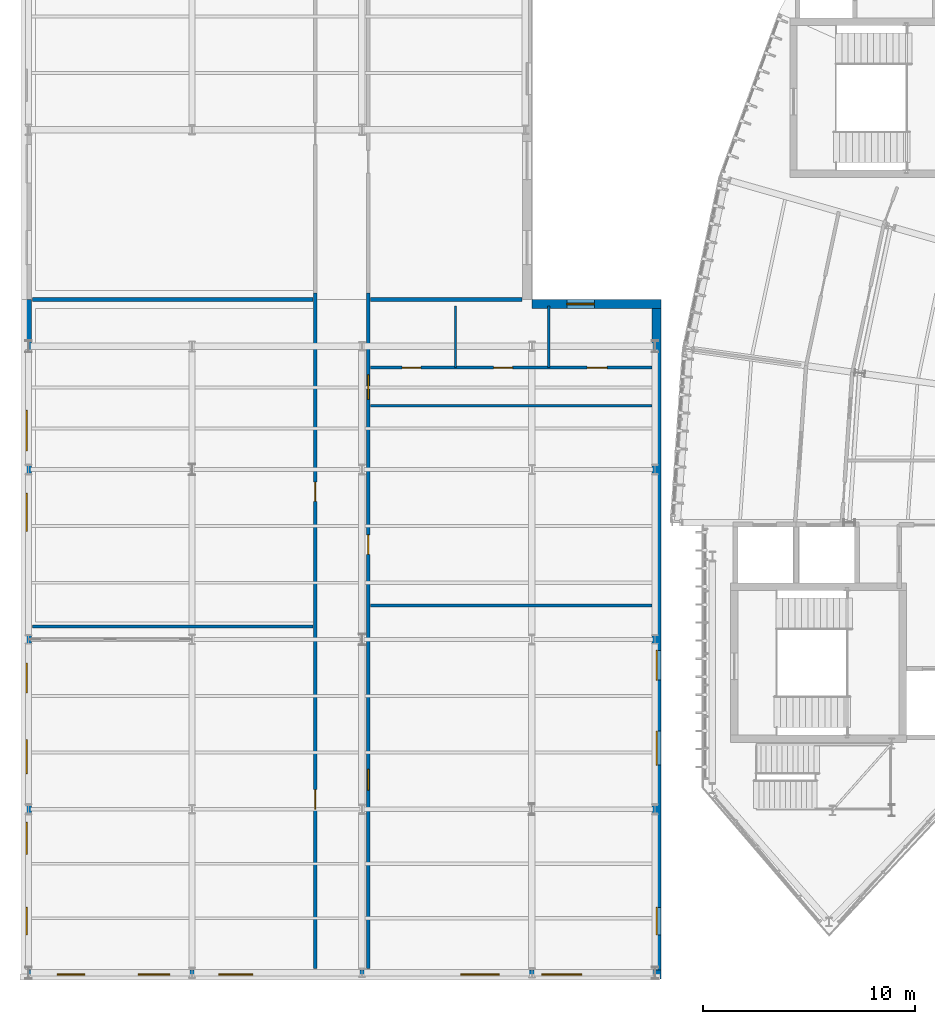
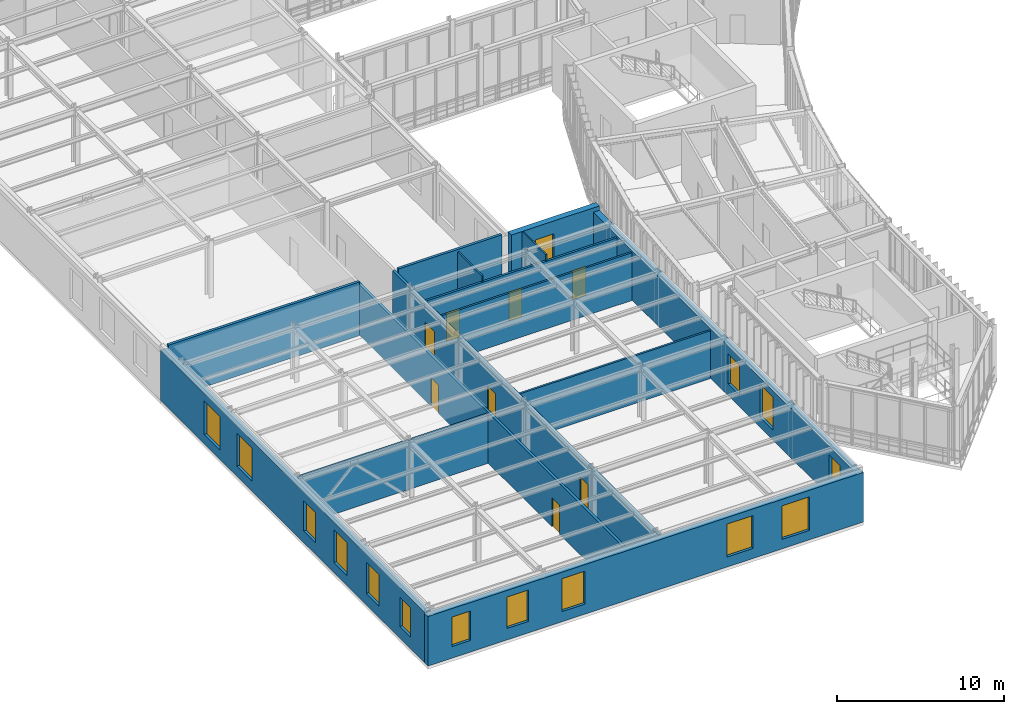
# One storey, part 40 of 57: 15 windows, 14 walls, 8 doors, 23 openings.
"""IFC4 building model written with IfcOpenShell, lengths in metres."""

import ifcopenshell
import ifcopenshell.guid

model = None  # the IFC model being written
_history = None  # IfcOwnerHistory: only IFC2X3 demands one
_inside = {}  # id of a spatial element -> (the spatial element, [elements in it])
_under = {}  # id of a project, library or spatial element -> (it, [spatial elements below it])
_declared = {}  # id of a project -> (the project, [libraries it declares])
_typed = {}  # id of a type object -> (the type object, [elements of that type])
_made_of = {}  # id of a material, layer set ... -> (it, [elements and type objects made of it])


def new_model(schema):
    """Start an empty IFC model of exactly this schema.

    Asked for "IFC4X3", IfcOpenShell would pick the latest addendum, in which some entities
    have other attributes; the version numbers below select the first issue.
    IFC2X3 requires an IfcOwnerHistory on every rooted entity: one is made here for all.
    """
    global model, _history
    if schema == "IFC4X3":
        model = ifcopenshell.file(schema_version=(4, 3, 0, 0))
    else:
        model = ifcopenshell.file(schema=schema)
    _inside.clear()
    _under.clear()
    _declared.clear()
    _typed.clear()
    _made_of.clear()
    _history = None
    if model.schema == "IFC2X3":
        org = make("IfcOrganization", Name="unknown")
        user = make(
            "IfcPersonAndOrganization",
            ThePerson=make("IfcPerson", FamilyName="unknown"),
            TheOrganization=org,
        )
        app = make(
            "IfcApplication",
            ApplicationDeveloper=org,
            Version="unknown",
            ApplicationFullName="unknown",
            ApplicationIdentifier="unknown",
        )
        _history = make(
            "IfcOwnerHistory",
            OwningUser=user,
            OwningApplication=app,
            ChangeAction="ADDED",
            CreationDate=0,
        )
    return model


def make(cls, **values):
    """One entity of the class cls with the attributes given. An attribute that is None is left unset."""
    return model.create_entity(
        cls, **{name: value for name, value in values.items() if value is not None}
    )


def rooted(cls, **values):
    """An entity with a GlobalId (a new one), such as an element, a storey or a relation."""
    return make(cls, GlobalId=ifcopenshell.guid.new(), OwnerHistory=_history, **values)


def si_unit(unit_type, name, prefix=None):
    """IfcSIUnit, for example si_unit("LENGTHUNIT", "METRE", prefix="MILLI")."""
    return make("IfcSIUnit", UnitType=unit_type, Prefix=prefix, Name=name)


def assignment(units):
    """IfcUnitAssignment: the units of a project."""
    return None if units is None else make("IfcUnitAssignment", Units=units)


def point(xyz):
    """IfcCartesianPoint."""
    return None if xyz is None else make("IfcCartesianPoint", Coordinates=xyz)


def direction(xyz):
    """IfcDirection."""
    return None if xyz is None else make("IfcDirection", DirectionRatios=xyz)


def frame(location, z_axis=None, x_axis=None):
    """IfcAxis2Placement3D, a coordinate frame: its origin and axes. An axis left out is left unset."""
    return make(
        "IfcAxis2Placement3D",
        Location=point(location),
        Axis=direction(z_axis),
        RefDirection=direction(x_axis),
    )


def frame_2d(location, x_axis=None):
    """IfcAxis2Placement2D, a coordinate frame in the plane: its origin and x axis."""
    return make(
        "IfcAxis2Placement2D", Location=point(location), RefDirection=direction(x_axis)
    )


def origin():
    """The frame at (0, 0, 0) with its axes left unset."""
    return frame((0.0, 0.0, 0.0))


def place(relative_to, where):
    """IfcLocalPlacement: puts the frame where relative to a parent placement (None: the world)."""
    return make(
        "IfcLocalPlacement", PlacementRelTo=relative_to, RelativePlacement=where
    )


def context(
    kind, dimensions, precision=None, world=None, true_north=None, identifier=None
):
    """IfcGeometricRepresentationContext, for example the 3D "Model" context."""
    return make(
        "IfcGeometricRepresentationContext",
        ContextIdentifier=identifier,
        ContextType=kind,
        CoordinateSpaceDimension=dimensions,
        Precision=precision,
        WorldCoordinateSystem=world,
        TrueNorth=true_north,
    )


def subcontext(parent, identifier, kind, view, scale=None):
    """IfcGeometricRepresentationSubContext, for example "Body" below "Model"."""
    return make(
        "IfcGeometricRepresentationSubContext",
        ContextIdentifier=identifier,
        ContextType=kind,
        ParentContext=parent,
        TargetScale=scale,
        TargetView=view,
    )


def project(units=None, contexts=None):
    """IfcProject with its units and contexts."""
    return rooted(
        "IfcProject",
        Name="project",
        RepresentationContexts=contexts,
        UnitsInContext=assignment(units),
    )


def spatial(cls, under=None, at=None, **own):
    """A site, building, storey or space (cls), placed at a placement, below another one or the project."""
    s = rooted(cls, ObjectPlacement=at, **own)
    if under is not None:
        _under.setdefault(under.id(), (under, []))[1].append(s)
    return s


def profile(cls, at=None, kind="AREA", **sizes):
    """A parametric profile (cls). Its sizes go by their IFC names, for example OverallWidth=200.0."""
    return make(cls, ProfileType=kind, Position=at, **sizes)


def rectangle(**sizes):
    """IfcRectangleProfileDef."""
    return profile("IfcRectangleProfileDef", **sizes)


def extrude(swept, where, along, depth):
    """IfcExtrudedAreaSolid: the profile swept, set in the frame where, extruded along a direction by depth."""
    return make(
        "IfcExtrudedAreaSolid",
        SweptArea=swept,
        Position=where,
        ExtrudedDirection=direction(along),
        Depth=depth,
    )


def shape(context_of_items, identifier, shape_type, items):
    """IfcShapeRepresentation: the items that make up one representation, for example the "Body"."""
    return make(
        "IfcShapeRepresentation",
        ContextOfItems=context_of_items,
        RepresentationIdentifier=identifier,
        RepresentationType=shape_type,
        Items=items,
    )


def material(Name=None, Category=None):
    """IfcMaterial."""
    return make("IfcMaterial", Name=Name, Category=Category)


def layer(
    of_material, thickness, ventilated=None, Name=None, Category=None, Priority=None
):
    """IfcMaterialLayer: one layer of a wall or slab, of a material (None: an air gap)."""
    return make(
        "IfcMaterialLayer",
        Material=of_material,
        LayerThickness=thickness,
        IsVentilated=ventilated,
        Name=Name,
        Category=Category,
        Priority=Priority,
    )


def layer_set(layers, Name=None):
    """IfcMaterialLayerSet."""
    return make("IfcMaterialLayerSet", MaterialLayers=layers, LayerSetName=Name)


def made_of(thing, what):
    """Note that an element or type object is made of a material, layer set ...; save() writes the relation."""
    if what is not None:
        _made_of.setdefault(what.id(), (what, []))[1].append(thing)
    return thing


def type_object(cls, material=None, **own):
    """A type object (cls), such as IfcWallType, which elements share."""
    return made_of(rooted(cls, **own), material)


def element(
    cls,
    number,
    at=None,
    inside=None,
    cuts=None,
    type_object=None,
    material=None,
    context=None,
    identifier="Body",
    shape_type=None,
    held_by="IfcProductDefinitionShape",
    body=None,
    shapes=None,
    **own,
):
    """One element of the class cls, such as IfcWall. Its Tag is "e" and its number.

    at: its placement. inside: the storey or other place that contains it. cuts: it is an
    opening in that element (IfcRelVoidsElement). A single representation is given by context,
    identifier, shape_type and body (its items); several are given by shapes. held_by: the class
    of the entity that holds the representations. save() writes the other relations.
    """
    e = rooted(cls, Tag="e%d" % number, ObjectPlacement=at, **own)
    if body is not None:
        shapes = [shape(context, identifier, shape_type, body)]
    if shapes is not None:
        e.Representation = make(held_by, Representations=shapes)
    if inside is not None:
        _inside.setdefault(inside.id(), (inside, []))[1].append(e)
    if cuts is not None:
        rooted(
            "IfcRelVoidsElement", RelatingBuildingElement=cuts, RelatedOpeningElement=e
        )
    if type_object is not None:
        _typed.setdefault(type_object.id(), (type_object, []))[1].append(e)
    return made_of(e, material)


def fill(opening, filler):
    """IfcRelFillsElement: the door or window that sits in an opening."""
    return rooted(
        "IfcRelFillsElement",
        RelatingOpeningElement=opening,
        RelatedBuildingElement=filler,
    )


def aggregate(whole, parts):
    """IfcRelAggregates: a whole, such as a stair, and the parts it consists of."""
    return rooted("IfcRelAggregates", RelatingObject=whole, RelatedObjects=parts)


def save(model, path):
    """Write the relations noted so far, then the file.

    IfcRelAggregates (storeys below a building ...), IfcRelContainedInSpatialStructure (elements
    in a storey), IfcRelDefinesByType, IfcRelAssociatesMaterial and IfcRelDeclares: one each for
    every whole, place, type object, material and project.
    """
    for whole, parts in _under.values():
        aggregate(whole, parts)
    for where, things in _inside.values():
        rooted(
            "IfcRelContainedInSpatialStructure",
            RelatedElements=things,
            RelatingStructure=where,
        )
    for kind, things in _typed.values():
        rooted("IfcRelDefinesByType", RelatedObjects=things, RelatingType=kind)
    for what, things in _made_of.values():
        rooted("IfcRelAssociatesMaterial", RelatedObjects=things, RelatingMaterial=what)
    for by, libraries in _declared.values():
        rooted("IfcRelDeclares", RelatingContext=by, RelatedDefinitions=libraries)
    model.write(path)


model = new_model("IFC4")

# Units and contexts
model_context = context("Model", 3, precision=1e-05, world=origin(), true_north=direction((0.0, 1.0)))
body_context = subcontext(model_context, "Body", "Model", "MODEL_VIEW")
ifc_project = project(units=[si_unit("LENGTHUNIT", "METRE"), si_unit("AREAUNIT", "SQUARE_METRE"), si_unit("VOLUMEUNIT", "CUBIC_METRE"), si_unit("PLANEANGLEUNIT", "RADIAN"), si_unit("MASSUNIT", "GRAM", prefix="KILO"), si_unit("THERMODYNAMICTEMPERATUREUNIT", "KELVIN"), si_unit("POWERUNIT", "WATT")], contexts=[model_context])

# Site, building, storey
site_placement = place(None, origin())
site = spatial("IfcSite", under=ifc_project, at=site_placement, CompositionType="ELEMENT")
building_placement = place(site_placement, origin())
building = spatial("IfcBuilding", under=site, at=building_placement, Name="Solvatero Civic Police Headquarters", CompositionType="ELEMENT")
storey_placement = place(building_placement, frame((0.0, 0.0, 9.300048828125)))
storey = spatial("IfcBuildingStorey", under=building, at=storey_placement, Name="L02", CompositionType="ELEMENT", Elevation=9.300048828125)

# Wall, openings, windows
ifc_material_1 = material(Name="Cream Limestone Ashlar", Category="masonry")
ifc_layer_1 = layer(ifc_material_1, 0.419921875)
ifc_layer_set_1 = layer_set([ifc_layer_1], Name="Cream Limestone Ashlar")
wall_type_1 = type_object("IfcWallType", Name="WL-EXT-LIME-420", PredefinedType="SOLIDWALL", material=ifc_layer_set_1)
wall_1_placement = place(storey_placement, frame((4.510009765625, 4.719970703125, 0.0), z_axis=(0.0, 0.0, 1.0), x_axis=(1.0, 0.0, 0.0)))
wall_1 = element("IfcWall", 1, at=wall_1_placement, inside=storey, type_object=wall_type_1, Name="Exterior Wall WLE-L02-V4-S", PredefinedType="SOLIDWALL", context=body_context, shape_type="SweptSolid", body=[
    extrude(rectangle(XDim=30.080078125, YDim=0.419921875, at=frame_2d((15.0400390625, 0.0))), origin(), (0.0, 0.0, 1.0), 3.619873046875),
])
opening_1_placement = place(wall_1_placement, frame((1.64990234375, 0.0, 0.85009765625)))
opening_1 = element("IfcOpeningElement", 2, at=opening_1_placement, cuts=wall_1, Name="Opening W-13", PredefinedType="OPENING", context=body_context, shape_type="SweptSolid", body=[
    extrude(rectangle(XDim=1.300048828125, YDim=2.14990234375, at=frame_2d((0.64990234375, 1.074951171875))), frame((0.0, 0.219970703125, 0.0), z_axis=(0.0, -1.0, 0.0), x_axis=(1.0, 0.0, 0.0)), (0.0, 0.0, 1.0), 0.43994140625),
])
opening_2_placement = place(wall_1_placement, frame((5.449951171875, 0.0, 0.840087890625)))
opening_2 = element("IfcOpeningElement", 3, at=opening_2_placement, cuts=wall_1, Name="Opening W-03", PredefinedType="OPENING", context=body_context, shape_type="SweptSolid", body=[
    extrude(rectangle(XDim=1.5, YDim=2.300048828125, at=frame_2d((0.75, 1.14990234375))), frame((0.0, 0.219970703125, 0.0), z_axis=(0.0, -1.0, 0.0), x_axis=(1.0, 0.0, 0.0)), (0.0, 0.0, 1.0), 0.43994140625),
])
opening_3_placement = place(wall_1_placement, frame((9.25, 0.0, 0.739990234375)))
opening_3 = element("IfcOpeningElement", 4, at=opening_3_placement, cuts=wall_1, Name="Opening W-04", PredefinedType="OPENING", context=body_context, shape_type="SweptSolid", body=[
    extrude(rectangle(XDim=1.60009765625, YDim=2.39990234375, at=frame_2d((0.800048828125, 1.199951171875))), frame((0.0, 0.219970703125, 0.0), z_axis=(0.0, -1.0, 0.0), x_axis=(1.0, 0.0, 0.0)), (0.0, 0.0, 1.0), 0.43994140625),
])
opening_4_placement = place(wall_1_placement, frame((20.64990234375, 0.0, 0.739990234375)))
opening_4 = element("IfcOpeningElement", 5, at=opening_4_placement, cuts=wall_1, Name="Opening W-05", PredefinedType="OPENING", context=body_context, shape_type="SweptSolid", body=[
    extrude(rectangle(XDim=1.800048828125, YDim=2.39990234375, at=frame_2d((0.89990234375, 1.199951171875))), frame((0.0, 0.219970703125, 0.0), z_axis=(0.0, -1.0, 0.0), x_axis=(1.0, 0.0, 0.0)), (0.0, 0.0, 1.0), 0.43994140625),
])
opening_5_placement = place(wall_1_placement, frame((24.449951171875, 0.0, 0.68994140625)))
opening_5 = element("IfcOpeningElement", 6, at=opening_5_placement, cuts=wall_1, Name="Opening W-15", PredefinedType="OPENING", context=body_context, shape_type="SweptSolid", body=[
    extrude(rectangle(XDim=1.89990234375, YDim=2.449951171875, at=frame_2d((0.949951171875, 1.22509765625))), frame((0.0, 0.219970703125, 0.0), z_axis=(0.0, -1.0, 0.0), x_axis=(1.0, 0.0, 0.0)), (0.0, 0.0, 1.0), 0.43994140625),
])
ifc_material_2 = material(Name="Anodized Bronze Aluminium", Category="aluminium")
window_type_1 = type_object("IfcWindowType", Name="WN-CL-130x215", PartitioningType="SINGLE_PANEL", PredefinedType="WINDOW", material=ifc_material_2)
window_1_placement = place(opening_1_placement, origin())
window_1 = element("IfcWindow", 7, at=window_1_placement, inside=storey, type_object=window_type_1, Name="Exterior Window 0025", OverallHeight=2.14990234375, OverallWidth=1.300048828125, PartitioningType="SINGLE_PANEL", PredefinedType="WINDOW", context=body_context, shape_type="SweptSolid", body=[
    extrude(rectangle(XDim=1.300048828125, YDim=2.14990234375, at=frame_2d((0.64990234375, 1.074951171875))), frame((0.0, 0.030029296875, 0.0), z_axis=(0.0, -1.0, 0.0), x_axis=(1.0, 0.0, 0.0)), (0.0, 0.0, 1.0), 0.06005859375),
])
fill(opening_1, window_1)
window_type_2 = type_object("IfcWindowType", Name="WN-CL-150x230", PartitioningType="SINGLE_PANEL", PredefinedType="WINDOW", material=ifc_material_2)
window_2_placement = place(opening_2_placement, origin())
window_2 = element("IfcWindow", 8, at=window_2_placement, inside=storey, type_object=window_type_2, Name="Exterior Window 0026", OverallHeight=2.300048828125, OverallWidth=1.5, PartitioningType="SINGLE_PANEL", PredefinedType="WINDOW", context=body_context, shape_type="SweptSolid", body=[
    extrude(rectangle(XDim=1.5, YDim=2.300048828125, at=frame_2d((0.75, 1.14990234375))), frame((0.0, 0.030029296875, 0.0), z_axis=(0.0, -1.0, 0.0), x_axis=(1.0, 0.0, 0.0)), (0.0, 0.0, 1.0), 0.06005859375),
])
fill(opening_2, window_2)
window_type_3 = type_object("IfcWindowType", Name="WN-CL-160x240", PartitioningType="SINGLE_PANEL", PredefinedType="WINDOW", material=ifc_material_2)
window_3_placement = place(opening_3_placement, origin())
window_3 = element("IfcWindow", 9, at=window_3_placement, inside=storey, type_object=window_type_3, Name="Exterior Window 0027", OverallHeight=2.39990234375, OverallWidth=1.60009765625, PartitioningType="SINGLE_PANEL", PredefinedType="WINDOW", context=body_context, shape_type="SweptSolid", body=[
    extrude(rectangle(XDim=1.60009765625, YDim=2.39990234375, at=frame_2d((0.800048828125, 1.199951171875))), frame((0.0, 0.030029296875, 0.0), z_axis=(0.0, -1.0, 0.0), x_axis=(1.0, 0.0, 0.0)), (0.0, 0.0, 1.0), 0.06005859375),
])
fill(opening_3, window_3)
window_type_4 = type_object("IfcWindowType", Name="WN-CL-180x240", PartitioningType="SINGLE_PANEL", PredefinedType="WINDOW", material=ifc_material_2)
window_4_placement = place(opening_4_placement, origin())
window_4 = element("IfcWindow", 10, at=window_4_placement, inside=storey, type_object=window_type_4, Name="Exterior Window 0028", OverallHeight=2.39990234375, OverallWidth=1.800048828125, PartitioningType="SINGLE_PANEL", PredefinedType="WINDOW", context=body_context, shape_type="SweptSolid", body=[
    extrude(rectangle(XDim=1.800048828125, YDim=2.39990234375, at=frame_2d((0.89990234375, 1.199951171875))), frame((0.0, 0.030029296875, 0.0), z_axis=(0.0, -1.0, 0.0), x_axis=(1.0, 0.0, 0.0)), (0.0, 0.0, 1.0), 0.06005859375),
])
fill(opening_4, window_4)
window_type_5 = type_object("IfcWindowType", Name="WN-CL-190x245", PartitioningType="SINGLE_PANEL", PredefinedType="WINDOW", material=ifc_material_2)
window_5_placement = place(opening_5_placement, origin())
window_5 = element("IfcWindow", 11, at=window_5_placement, inside=storey, type_object=window_type_5, Name="Exterior Window 0029", OverallHeight=2.449951171875, OverallWidth=1.89990234375, PartitioningType="SINGLE_PANEL", PredefinedType="WINDOW", context=body_context, shape_type="SweptSolid", body=[
    extrude(rectangle(XDim=1.89990234375, YDim=2.449951171875, at=frame_2d((0.949951171875, 1.22509765625))), frame((0.0, 0.030029296875, 0.0), z_axis=(0.0, -1.0, 0.0), x_axis=(1.0, 0.0, 0.0)), (0.0, 0.0, 1.0), 0.06005859375),
])
fill(opening_5, window_5)

wall_2_placement = place(storey_placement, frame((4.719970703125, 4.929931640625, 0.0), z_axis=(0.0, 0.0, 1.0), x_axis=(0.0, 1.0, 0.0)))
wall_2 = element("IfcWall", 12, at=wall_2_placement, inside=storey, type_object=wall_type_1, Name="Exterior Wall WLE-L02-V4-W", PredefinedType="SOLIDWALL", context=body_context, shape_type="SweptSolid", body=[
    extrude(rectangle(XDim=31.570068359375, YDim=0.419921875, at=frame_2d((15.78515625, 0.0))), origin(), (0.0, 0.0, 1.0), 3.699951171875),
])
opening_6_placement = place(wall_2_placement, frame((1.64990234375, 0.0, 0.85009765625)))
opening_6 = element("IfcOpeningElement", 13, at=opening_6_placement, cuts=wall_2, Name="Opening W-13", PredefinedType="OPENING", context=body_context, shape_type="SweptSolid", body=[
    extrude(rectangle(XDim=1.300048828125, YDim=2.14990234375, at=frame_2d((0.64990234375, 1.074951171875))), frame((0.0, 0.219970703125, 0.0), z_axis=(0.0, -1.0, 0.0), x_axis=(1.0, 0.0, 0.0)), (0.0, 0.0, 1.0), 0.43994140625),
])
opening_7_placement = place(wall_2_placement, frame((5.449951171875, 0.0, 0.840087890625)))
opening_7 = element("IfcOpeningElement", 14, at=opening_7_placement, cuts=wall_2, Name="Opening W-03", PredefinedType="OPENING", context=body_context, shape_type="SweptSolid", body=[
    extrude(rectangle(XDim=1.5, YDim=2.300048828125, at=frame_2d((0.75, 1.14990234375))), frame((0.0, 0.219970703125, 0.0), z_axis=(0.0, -1.0, 0.0), x_axis=(1.0, 0.0, 0.0)), (0.0, 0.0, 1.0), 0.43994140625),
])
opening_8_placement = place(wall_2_placement, frame((9.25, 0.0, 0.739990234375)))
opening_8 = element("IfcOpeningElement", 15, at=opening_8_placement, cuts=wall_2, Name="Opening W-04", PredefinedType="OPENING", context=body_context, shape_type="SweptSolid", body=[
    extrude(rectangle(XDim=1.60009765625, YDim=2.39990234375, at=frame_2d((0.800048828125, 1.199951171875))), frame((0.0, 0.219970703125, 0.0), z_axis=(0.0, -1.0, 0.0), x_axis=(1.0, 0.0, 0.0)), (0.0, 0.0, 1.0), 0.43994140625),
])
opening_9_placement = place(wall_2_placement, frame((13.050048828125, 0.0, 0.85009765625)))
opening_9 = element("IfcOpeningElement", 16, at=opening_9_placement, cuts=wall_2, Name="Opening W-02", PredefinedType="OPENING", context=body_context, shape_type="SweptSolid", body=[
    extrude(rectangle(XDim=1.39990234375, YDim=2.199951171875, at=frame_2d((0.699951171875, 1.10009765625))), frame((0.0, 0.219970703125, 0.0), z_axis=(0.0, -1.0, 0.0), x_axis=(1.0, 0.0, 0.0)), (0.0, 0.0, 1.0), 0.43994140625),
])
opening_10_placement = place(wall_2_placement, frame((20.64990234375, 0.0, 0.739990234375)))
opening_10 = element("IfcOpeningElement", 17, at=opening_10_placement, cuts=wall_2, Name="Opening W-05", PredefinedType="OPENING", context=body_context, shape_type="SweptSolid", body=[
    extrude(rectangle(XDim=1.800048828125, YDim=2.39990234375, at=frame_2d((0.89990234375, 1.199951171875))), frame((0.0, 0.219970703125, 0.0), z_axis=(0.0, -1.0, 0.0), x_axis=(1.0, 0.0, 0.0)), (0.0, 0.0, 1.0), 0.43994140625),
])
opening_11_placement = place(wall_2_placement, frame((24.449951171875, 0.0, 0.68994140625)))
opening_11 = element("IfcOpeningElement", 18, at=opening_11_placement, cuts=wall_2, Name="Opening W-15", PredefinedType="OPENING", context=body_context, shape_type="SweptSolid", body=[
    extrude(rectangle(XDim=1.89990234375, YDim=2.449951171875, at=frame_2d((0.949951171875, 1.22509765625))), frame((0.0, 0.219970703125, 0.0), z_axis=(0.0, -1.0, 0.0), x_axis=(1.0, 0.0, 0.0)), (0.0, 0.0, 1.0), 0.43994140625),
])
window_6_placement = place(opening_6_placement, origin())
window_6 = element("IfcWindow", 19, at=window_6_placement, inside=storey, type_object=window_type_1, Name="Exterior Window 0030", OverallHeight=2.14990234375, OverallWidth=1.300048828125, PartitioningType="SINGLE_PANEL", PredefinedType="WINDOW", context=body_context, shape_type="SweptSolid", body=[
    extrude(rectangle(XDim=1.300048828125, YDim=2.14990234375, at=frame_2d((0.64990234375, 1.074951171875))), frame((0.0, 0.030029296875, 0.0), z_axis=(0.0, -1.0, 0.0), x_axis=(1.0, 0.0, 0.0)), (0.0, 0.0, 1.0), 0.06005859375),
])
fill(opening_6, window_6)
window_type_6 = type_object("IfcWindowType", Name="WN-CL-140x220", PartitioningType="SINGLE_PANEL", PredefinedType="WINDOW", material=ifc_material_2)
window_7_placement = place(opening_9_placement, origin())
window_7 = element("IfcWindow", 20, at=window_7_placement, inside=storey, type_object=window_type_6, Name="Exterior Window 0033", OverallHeight=2.199951171875, OverallWidth=1.39990234375, PartitioningType="SINGLE_PANEL", PredefinedType="WINDOW", context=body_context, shape_type="SweptSolid", body=[
    extrude(rectangle(XDim=1.39990234375, YDim=2.199951171875, at=frame_2d((0.699951171875, 1.10009765625))), frame((0.0, 0.030029296875, 0.0), z_axis=(0.0, -1.0, 0.0), x_axis=(1.0, 0.0, 0.0)), (0.0, 0.0, 1.0), 0.06005859375),
])
fill(opening_9, window_7)
window_8_placement = place(opening_7_placement, origin())
window_8 = element("IfcWindow", 21, at=window_8_placement, inside=storey, type_object=window_type_2, Name="Exterior Window 0031", OverallHeight=2.300048828125, OverallWidth=1.5, PartitioningType="SINGLE_PANEL", PredefinedType="WINDOW", context=body_context, shape_type="SweptSolid", body=[
    extrude(rectangle(XDim=1.5, YDim=2.300048828125, at=frame_2d((0.75, 1.14990234375))), frame((0.0, 0.030029296875, 0.0), z_axis=(0.0, -1.0, 0.0), x_axis=(1.0, 0.0, 0.0)), (0.0, 0.0, 1.0), 0.06005859375),
])
fill(opening_7, window_8)
window_9_placement = place(opening_8_placement, origin())
window_9 = element("IfcWindow", 22, at=window_9_placement, inside=storey, type_object=window_type_3, Name="Exterior Window 0032", OverallHeight=2.39990234375, OverallWidth=1.60009765625, PartitioningType="SINGLE_PANEL", PredefinedType="WINDOW", context=body_context, shape_type="SweptSolid", body=[
    extrude(rectangle(XDim=1.60009765625, YDim=2.39990234375, at=frame_2d((0.800048828125, 1.199951171875))), frame((0.0, 0.030029296875, 0.0), z_axis=(0.0, -1.0, 0.0), x_axis=(1.0, 0.0, 0.0)), (0.0, 0.0, 1.0), 0.06005859375),
])
fill(opening_8, window_9)
window_10_placement = place(opening_10_placement, origin())
window_10 = element("IfcWindow", 23, at=window_10_placement, inside=storey, type_object=window_type_4, Name="Exterior Window 0034", OverallHeight=2.39990234375, OverallWidth=1.800048828125, PartitioningType="SINGLE_PANEL", PredefinedType="WINDOW", context=body_context, shape_type="SweptSolid", body=[
    extrude(rectangle(XDim=1.800048828125, YDim=2.39990234375, at=frame_2d((0.89990234375, 1.199951171875))), frame((0.0, 0.030029296875, 0.0), z_axis=(0.0, -1.0, 0.0), x_axis=(1.0, 0.0, 0.0)), (0.0, 0.0, 1.0), 0.06005859375),
])
fill(opening_10, window_10)
window_11_placement = place(opening_11_placement, origin())
window_11 = element("IfcWindow", 24, at=window_11_placement, inside=storey, type_object=window_type_5, Name="Exterior Window 0035", OverallHeight=2.449951171875, OverallWidth=1.89990234375, PartitioningType="SINGLE_PANEL", PredefinedType="WINDOW", context=body_context, shape_type="SweptSolid", body=[
    extrude(rectangle(XDim=1.89990234375, YDim=2.449951171875, at=frame_2d((0.949951171875, 1.22509765625))), frame((0.0, 0.030029296875, 0.0), z_axis=(0.0, -1.0, 0.0), x_axis=(1.0, 0.0, 0.0)), (0.0, 0.0, 1.0), 0.06005859375),
])
fill(opening_11, window_11)

wall_3_placement = place(storey_placement, frame((34.3798828125, 4.929931640625, 0.0), z_axis=(0.0, 0.0, 1.0), x_axis=(0.0, 1.0, 0.0)))
wall_3 = element("IfcWall", 25, at=wall_3_placement, inside=storey, type_object=wall_type_1, Name="Exterior Wall WLE-L02-V4-E", PredefinedType="SOLIDWALL", context=body_context, shape_type="SweptSolid", body=[
    extrude(rectangle(XDim=31.360107421875, YDim=0.419921875, at=frame_2d((15.68017578125, 0.0))), origin(), (0.0, 0.0, 1.0), 3.619873046875),
])
opening_12_placement = place(wall_3_placement, frame((1.64990234375, 0.0, 0.85009765625)))
opening_12 = element("IfcOpeningElement", 26, at=opening_12_placement, cuts=wall_3, Name="Opening W-13", PredefinedType="OPENING", context=body_context, shape_type="SweptSolid", body=[
    extrude(rectangle(XDim=1.300048828125, YDim=2.14990234375, at=frame_2d((0.64990234375, 1.074951171875))), frame((0.0, 0.219970703125, 0.0), z_axis=(0.0, -1.0, 0.0), x_axis=(1.0, 0.0, 0.0)), (0.0, 0.0, 1.0), 0.43994140625),
])
opening_13_placement = place(wall_3_placement, frame((9.64990234375, 0.0, 0.739990234375)))
opening_13 = element("IfcOpeningElement", 27, at=opening_13_placement, cuts=wall_3, Name="Opening W-04", PredefinedType="OPENING", context=body_context, shape_type="SweptSolid", body=[
    extrude(rectangle(XDim=1.60009765625, YDim=2.39990234375, at=frame_2d((0.800048828125, 1.199951171875))), frame((0.0, 0.219970703125, 0.0), z_axis=(0.0, -1.0, 0.0), x_axis=(1.0, 0.0, 0.0)), (0.0, 0.0, 1.0), 0.43994140625),
])
opening_14_placement = place(wall_3_placement, frame((13.64990234375, 0.0, 0.85009765625)))
opening_14 = element("IfcOpeningElement", 28, at=opening_14_placement, cuts=wall_3, Name="Opening W-02", PredefinedType="OPENING", context=body_context, shape_type="SweptSolid", body=[
    extrude(rectangle(XDim=1.39990234375, YDim=2.199951171875, at=frame_2d((0.699951171875, 1.10009765625))), frame((0.0, 0.219970703125, 0.0), z_axis=(0.0, -1.0, 0.0), x_axis=(1.0, 0.0, 0.0)), (0.0, 0.0, 1.0), 0.43994140625),
])
window_12_placement = place(opening_12_placement, origin())
window_12 = element("IfcWindow", 29, at=window_12_placement, inside=storey, type_object=window_type_1, Name="Exterior Window 0036", OverallHeight=2.14990234375, OverallWidth=1.300048828125, PartitioningType="SINGLE_PANEL", PredefinedType="WINDOW", context=body_context, shape_type="SweptSolid", body=[
    extrude(rectangle(XDim=1.300048828125, YDim=2.14990234375, at=frame_2d((0.64990234375, 1.074951171875))), frame((0.0, 0.030029296875, 0.0), z_axis=(0.0, -1.0, 0.0), x_axis=(1.0, 0.0, 0.0)), (0.0, 0.0, 1.0), 0.06005859375),
])
fill(opening_12, window_12)
window_13_placement = place(opening_14_placement, origin())
window_13 = element("IfcWindow", 30, at=window_13_placement, inside=storey, type_object=window_type_6, Name="Exterior Window 0038", OverallHeight=2.199951171875, OverallWidth=1.39990234375, PartitioningType="SINGLE_PANEL", PredefinedType="WINDOW", context=body_context, shape_type="SweptSolid", body=[
    extrude(rectangle(XDim=1.39990234375, YDim=2.199951171875, at=frame_2d((0.699951171875, 1.10009765625))), frame((0.0, 0.030029296875, 0.0), z_axis=(0.0, -1.0, 0.0), x_axis=(1.0, 0.0, 0.0)), (0.0, 0.0, 1.0), 0.06005859375),
])
fill(opening_14, window_13)
window_14_placement = place(opening_13_placement, origin())
window_14 = element("IfcWindow", 31, at=window_14_placement, inside=storey, type_object=window_type_3, Name="Exterior Window 0037", OverallHeight=2.39990234375, OverallWidth=1.60009765625, PartitioningType="SINGLE_PANEL", PredefinedType="WINDOW", context=body_context, shape_type="SweptSolid", body=[
    extrude(rectangle(XDim=1.60009765625, YDim=2.39990234375, at=frame_2d((0.800048828125, 1.199951171875))), frame((0.0, 0.030029296875, 0.0), z_axis=(0.0, -1.0, 0.0), x_axis=(1.0, 0.0, 0.0)), (0.0, 0.0, 1.0), 0.06005859375),
])
fill(opening_13, window_14)

# Wall, opening, window
wall_4_placement = place(storey_placement, frame((28.5, 36.2900390625, 0.0), z_axis=(0.0, 0.0, 1.0), x_axis=(1.0, 0.0, 0.0)))
wall_4 = element("IfcWall", 32, at=wall_4_placement, inside=storey, type_object=wall_type_1, Name="Exterior Wall WLE-L02-V4-N", PredefinedType="SOLIDWALL", context=body_context, shape_type="SweptSolid", body=[
    extrude(rectangle(XDim=6.090087890625, YDim=0.419921875, at=frame_2d((3.044921875, 0.0))), origin(), (0.0, 0.0, 1.0), 3.93994140625),
])
opening_15_placement = place(wall_4_placement, frame((1.64990234375, 0.0, 0.85009765625)))
opening_15 = element("IfcOpeningElement", 33, at=opening_15_placement, cuts=wall_4, Name="Opening W-13", PredefinedType="OPENING", context=body_context, shape_type="SweptSolid", body=[
    extrude(rectangle(XDim=1.300048828125, YDim=2.14990234375, at=frame_2d((0.64990234375, 1.074951171875))), frame((0.0, 0.219970703125, 0.0), z_axis=(0.0, -1.0, 0.0), x_axis=(1.0, 0.0, 0.0)), (0.0, 0.0, 1.0), 0.43994140625),
])
window_15_placement = place(opening_15_placement, origin())
window_15 = element("IfcWindow", 34, at=window_15_placement, inside=storey, type_object=window_type_1, Name="Exterior Window 0039", OverallHeight=2.14990234375, OverallWidth=1.300048828125, PartitioningType="SINGLE_PANEL", PredefinedType="WINDOW", context=body_context, shape_type="SweptSolid", body=[
    extrude(rectangle(XDim=1.300048828125, YDim=2.14990234375, at=frame_2d((0.64990234375, 1.074951171875))), frame((0.0, 0.030029296875, 0.0), z_axis=(0.0, -1.0, 0.0), x_axis=(1.0, 0.0, 0.0)), (0.0, 0.0, 1.0), 0.06005859375),
])
fill(opening_15, window_15)

# Walls
ifc_material_3 = material(Name="Gypsum Acoustic Stud", Category="gypsum")
ifc_layer_2 = layer(ifc_material_3, 0.10009765625)
ifc_layer_set_2 = layer_set([ifc_layer_2], Name="Gypsum Acoustic Stud")
wall_type_2 = type_object("IfcWallType", Name="WL-PTN-100", PredefinedType="PARTITIONING", material=ifc_layer_set_2)
for number, where, z_axis, x_axis, name in (
    (35, (24.89990234375, 33.300048828125, 0.0), (0.0, 0.0, 1.0), (0.0, 1.0, 0.0), "Interior Partition WLP-L02-V4-WC1"),
    (36, (29.300048828125, 33.300048828125, 0.0), (0.0, 0.0, 1.0), (0.0, 1.0, 0.0), "Interior Partition WLP-L02-V4-WC2"),
):
    element("IfcWall", number, at=place(storey_placement, frame(where, z_axis=z_axis, x_axis=x_axis)), inside=storey, type_object=wall_type_2, Name=name, PredefinedType="PARTITIONING", context=body_context, shape_type="SweptSolid", body=[
        extrude(rectangle(XDim=2.89990234375, YDim=0.10009765625, at=frame_2d((1.449951171875, 0.0))), origin(), (0.0, 0.0, 1.0), 3.919921875),
    ])
ifc_material_4 = material(Name="Gypsum Double-Stud", Category="gypsum")
ifc_layer_3 = layer(ifc_material_4, 0.135009765625)
ifc_layer_set_3 = layer_set([ifc_layer_3], Name="Gypsum Double-Stud")
wall_type_3 = type_object("IfcWallType", Name="WL-PTN-135", PredefinedType="PARTITIONING", material=ifc_layer_set_3)
wall_5_placement = place(storey_placement, frame((5.0, 21.10009765625, 0.0), z_axis=(0.0, 0.0, 1.0), x_axis=(1.0, 0.0, 0.0)))
element("IfcWall", 37, at=wall_5_placement, inside=storey, type_object=wall_type_3, Name="Interior Partition WLP-L02-V4-H1", PredefinedType="PARTITIONING", context=body_context, shape_type="SweptSolid", body=[
    extrude(rectangle(XDim=13.199951171875, YDim=0.135009765625, at=frame_2d((6.60009765625, 0.0))), origin(), (0.0, 0.0, 1.0), 3.597900390625),
])
for number, where, z_axis, x_axis, name in (
    (38, (20.89990234375, 22.10009765625, 0.0), (0.0, 0.0, 1.0), (1.0, 0.0, 0.0), "Interior Partition WLP-L02-V4-H2"),
    (39, (20.89990234375, 31.5, 0.0), (0.0, 0.0, 1.0), (1.0, 0.0, 0.0), "Interior Partition WLP-L02-V4-SPUR"),
):
    element("IfcWall", number, at=place(storey_placement, frame(where, z_axis=z_axis, x_axis=x_axis)), inside=storey, type_object=wall_type_3, Name=name, PredefinedType="PARTITIONING", context=body_context, shape_type="SweptSolid", body=[
        extrude(rectangle(XDim=13.25, YDim=0.135009765625, at=frame_2d((6.625, 0.0))), origin(), (0.0, 0.0, 1.0), 3.488037109375),
    ])

# Wall, openings, doors
ifc_layer_4 = layer(ifc_material_3, 0.14990234375)
ifc_layer_set_4 = layer_set([ifc_layer_4], Name="Gypsum Acoustic Stud")
wall_type_4 = type_object("IfcWallType", Name="WL-PTN-150", PredefinedType="PARTITIONING", material=ifc_layer_set_4)
wall_6_placement = place(storey_placement, frame((20.89990234375, 33.300048828125, 0.0), z_axis=(0.0, 0.0, 1.0), x_axis=(1.0, 0.0, 0.0)))
wall_6 = element("IfcWall", 40, at=wall_6_placement, inside=storey, type_object=wall_type_4, Name="Interior Partition WLP-L02-V4-WCS", PredefinedType="PARTITIONING", context=body_context, shape_type="SweptSolid", body=[
    extrude(rectangle(XDim=13.25, YDim=0.14990234375, at=frame_2d((6.625, 0.0))), origin(), (0.0, 0.0, 1.0), 3.488037109375),
])
opening_16_placement = place(wall_6_placement, frame((1.5, 0.0, 0.0)))
opening_16 = element("IfcOpeningElement", 41, at=opening_16_placement, cuts=wall_6, Name="Opening ID-01", PredefinedType="OPENING", context=body_context, shape_type="SweptSolid", body=[
    extrude(rectangle(XDim=0.8798828125, YDim=2.10009765625, at=frame_2d((0.43994140625, 1.050048828125))), frame((0.0, 0.0849609375, 0.0), z_axis=(0.0, -1.0, 0.0), x_axis=(1.0, 0.0, 0.0)), (0.0, 0.0, 1.0), 0.169921875),
])
opening_17_placement = place(wall_6_placement, frame((5.800048828125, 0.0, 0.0)))
opening_17 = element("IfcOpeningElement", 42, at=opening_17_placement, cuts=wall_6, Name="Opening ID-02", PredefinedType="OPENING", context=body_context, shape_type="SweptSolid", body=[
    extrude(rectangle(XDim=0.89990234375, YDim=2.10009765625, at=frame_2d((0.449951171875, 1.050048828125))), frame((0.0, 0.0849609375, 0.0), z_axis=(0.0, -1.0, 0.0), x_axis=(1.0, 0.0, 0.0)), (0.0, 0.0, 1.0), 0.169921875),
])
opening_18_placement = place(wall_6_placement, frame((10.199951171875, 0.0, 0.0)))
opening_18 = element("IfcOpeningElement", 43, at=opening_18_placement, cuts=wall_6, Name="Opening ID-04", PredefinedType="OPENING", context=body_context, shape_type="SweptSolid", body=[
    extrude(rectangle(XDim=0.949951171875, YDim=2.14990234375, at=frame_2d((0.47509765625, 1.074951171875))), frame((0.0, 0.0849609375, 0.0), z_axis=(0.0, -1.0, 0.0), x_axis=(1.0, 0.0, 0.0)), (0.0, 0.0, 1.0), 0.169921875),
])
ifc_material_5 = material(Name="Acoustic Oak Timber Veneer", Category="wood")
door_type_1 = type_object("IfcDoorType", Name="DR-ACC-095x215", OperationType="NOTDEFINED", PredefinedType="DOOR", material=ifc_material_5)
door_1_placement = place(opening_18_placement, origin())
door_1 = element("IfcDoor", 44, at=door_1_placement, inside=storey, type_object=door_type_1, Name="Interior Door DR-L02-V4-WCA", OperationType="SINGLE_SWING_LEFT", OverallHeight=2.14990234375, OverallWidth=0.949951171875, PredefinedType="DOOR", context=body_context, shape_type="SweptSolid", body=[
    extrude(rectangle(XDim=0.949951171875, YDim=2.14990234375, at=frame_2d((0.47509765625, 1.074951171875))), frame((0.0, 0.02490234375, 0.0), z_axis=(0.0, -1.0, 0.0), x_axis=(1.0, 0.0, 0.0)), (0.0, 0.0, 1.0), 0.050048828125),
])
fill(opening_18, door_1)
door_type_2 = type_object("IfcDoorType", Name="DR-OFF-088x210", OperationType="NOTDEFINED", PredefinedType="DOOR", material=ifc_material_5)
door_2_placement = place(opening_16_placement, origin())
door_2 = element("IfcDoor", 45, at=door_2_placement, inside=storey, type_object=door_type_2, Name="Interior Door DR-L02-V4-WCM", OperationType="SINGLE_SWING_LEFT", OverallHeight=2.10009765625, OverallWidth=0.8798828125, PredefinedType="DOOR", context=body_context, shape_type="SweptSolid", body=[
    extrude(rectangle(XDim=0.8798828125, YDim=2.10009765625, at=frame_2d((0.43994140625, 1.050048828125))), frame((0.0, 0.02490234375, 0.0), z_axis=(0.0, -1.0, 0.0), x_axis=(1.0, 0.0, 0.0)), (0.0, 0.0, 1.0), 0.050048828125),
])
fill(opening_16, door_2)
door_type_3 = type_object("IfcDoorType", Name="DR-OFF-090x210", OperationType="NOTDEFINED", PredefinedType="DOOR", material=ifc_material_5)
door_3_placement = place(opening_17_placement, origin())
door_3 = element("IfcDoor", 46, at=door_3_placement, inside=storey, type_object=door_type_3, Name="Interior Door DR-L02-V4-WCF", OperationType="SINGLE_SWING_RIGHT", OverallHeight=2.10009765625, OverallWidth=0.89990234375, PredefinedType="DOOR", context=body_context, shape_type="SweptSolid", body=[
    extrude(rectangle(XDim=0.89990234375, YDim=2.10009765625, at=frame_2d((0.449951171875, 1.050048828125))), frame((0.0, 0.02490234375, 0.0), z_axis=(0.0, -1.0, 0.0), x_axis=(1.0, 0.0, 0.0)), (0.0, 0.0, 1.0), 0.050048828125),
])
fill(opening_17, door_3)

ifc_material_6 = material(Name="Concrete Blockwork", Category="masonry")
ifc_layer_5 = layer(ifc_material_6, 0.179931640625)
ifc_layer_set_5 = layer_set([ifc_layer_5], Name="Concrete Blockwork")
wall_type_5 = type_object("IfcWallType", Name="WL-PTN-180", PredefinedType="PARTITIONING", material=ifc_layer_set_5)
wall_7_placement = place(storey_placement, frame((18.300048828125, 5.0, 0.0), z_axis=(0.0, 0.0, 1.0), x_axis=(0.0, 1.0, 0.0)))
wall_7 = element("IfcWall", 47, at=wall_7_placement, inside=storey, type_object=wall_type_5, Name="Interior Partition WLP-L02-V4-CW", PredefinedType="PARTITIONING", context=body_context, shape_type="SweptSolid", body=[
    extrude(rectangle(XDim=31.800048828125, YDim=0.179931640625, at=frame_2d((15.89990234375, 0.0))), origin(), (0.0, 0.0, 1.0), 3.697998046875),
])
opening_19_placement = place(wall_7_placement, frame((7.5, 0.0, 0.0)))
opening_19 = element("IfcOpeningElement", 48, at=opening_19_placement, cuts=wall_7, Name="Opening ID-03", PredefinedType="OPENING", context=body_context, shape_type="SweptSolid", body=[
    extrude(rectangle(XDim=0.919921875, YDim=2.1201171875, at=frame_2d((0.4599609375, 1.06005859375))), frame((0.0, 0.099853515625, 0.0), z_axis=(0.0, -1.0, 0.0), x_axis=(1.0, 0.0, 0.0)), (0.0, 0.0, 1.0), 0.199951171875),
])
opening_20_placement = place(wall_7_placement, frame((22.0, 0.0, 0.0)))
opening_20 = element("IfcOpeningElement", 49, at=opening_20_placement, cuts=wall_7, Name="Opening ID-02", PredefinedType="OPENING", context=body_context, shape_type="SweptSolid", body=[
    extrude(rectangle(XDim=0.89990234375, YDim=2.10009765625, at=frame_2d((0.449951171875, 1.050048828125))), frame((0.0, 0.099853515625, 0.0), z_axis=(0.0, -1.0, 0.0), x_axis=(1.0, 0.0, 0.0)), (0.0, 0.0, 1.0), 0.199951171875),
])
door_4_placement = place(opening_20_placement, origin())
door_4 = element("IfcDoor", 50, at=door_4_placement, inside=storey, type_object=door_type_3, Name="Interior Door DR-L02-V4-2", OperationType="SINGLE_SWING_LEFT", OverallHeight=2.10009765625, OverallWidth=0.89990234375, PredefinedType="DOOR", context=body_context, shape_type="SweptSolid", body=[
    extrude(rectangle(XDim=0.89990234375, YDim=2.10009765625, at=frame_2d((0.449951171875, 1.050048828125))), frame((0.0, 0.02490234375, 0.0), z_axis=(0.0, -1.0, 0.0), x_axis=(1.0, 0.0, 0.0)), (0.0, 0.0, 1.0), 0.050048828125),
])
fill(opening_20, door_4)
door_type_4 = type_object("IfcDoorType", Name="DR-OFF-092x212", OperationType="NOTDEFINED", PredefinedType="DOOR", material=ifc_material_5)
door_5_placement = place(opening_19_placement, origin())
door_5 = element("IfcDoor", 51, at=door_5_placement, inside=storey, type_object=door_type_4, Name="Interior Door DR-L02-V4-1", OperationType="SINGLE_SWING_RIGHT", OverallHeight=2.1201171875, OverallWidth=0.919921875, PredefinedType="DOOR", context=body_context, shape_type="SweptSolid", body=[
    extrude(rectangle(XDim=0.919921875, YDim=2.1201171875, at=frame_2d((0.4599609375, 1.06005859375))), frame((0.0, 0.02490234375, 0.0), z_axis=(0.0, -1.0, 0.0), x_axis=(1.0, 0.0, 0.0)), (0.0, 0.0, 1.0), 0.050048828125),
])
fill(opening_19, door_5)

wall_8_placement = place(storey_placement, frame((20.800048828125, 5.0, 0.0), z_axis=(0.0, 0.0, 1.0), x_axis=(0.0, 1.0, 0.0)))
wall_8 = element("IfcWall", 52, at=wall_8_placement, inside=storey, type_object=wall_type_5, Name="Interior Partition WLP-L02-V4-CE", PredefinedType="PARTITIONING", context=body_context, shape_type="SweptSolid", body=[
    extrude(rectangle(XDim=31.800048828125, YDim=0.179931640625, at=frame_2d((15.89990234375, 0.0))), origin(), (0.0, 0.0, 1.0), 3.617919921875),
])
opening_21_placement = place(wall_8_placement, frame((8.39990234375, 0.0, 0.0)))
opening_21 = element("IfcOpeningElement", 53, at=opening_21_placement, cuts=wall_8, Name="Opening ID-05", PredefinedType="OPENING", context=body_context, shape_type="SweptSolid", body=[
    extrude(rectangle(XDim=0.97998046875, YDim=2.159912109375, at=frame_2d((0.489990234375, 1.080078125))), frame((0.0, 0.099853515625, 0.0), z_axis=(0.0, -1.0, 0.0), x_axis=(1.0, 0.0, 0.0)), (0.0, 0.0, 1.0), 0.199951171875),
])
opening_22_placement = place(wall_8_placement, frame((19.5, 0.0, 0.0)))
opening_22 = element("IfcOpeningElement", 54, at=opening_22_placement, cuts=wall_8, Name="Opening ID-03", PredefinedType="OPENING", context=body_context, shape_type="SweptSolid", body=[
    extrude(rectangle(XDim=0.919921875, YDim=2.1201171875, at=frame_2d((0.4599609375, 1.06005859375))), frame((0.0, 0.099853515625, 0.0), z_axis=(0.0, -1.0, 0.0), x_axis=(1.0, 0.0, 0.0)), (0.0, 0.0, 1.0), 0.199951171875),
])
opening_23_placement = place(wall_8_placement, frame((26.800048828125, 0.0, 0.0)))
opening_23 = element("IfcOpeningElement", 55, at=opening_23_placement, cuts=wall_8, Name="Opening ID-10", PredefinedType="OPENING", context=body_context, shape_type="SweptSolid", body=[
    extrude(rectangle(XDim=1.14990234375, YDim=2.199951171875, at=frame_2d((0.574951171875, 1.10009765625))), frame((0.0, 0.099853515625, 0.0), z_axis=(0.0, -1.0, 0.0), x_axis=(1.0, 0.0, 0.0)), (0.0, 0.0, 1.0), 0.199951171875),
])
ifc_material_7 = material(Name="Powder-Coated Steel", Category="steel")
door_type_5 = type_object("IfcDoorType", Name="DR-COR-115x220", OperationType="NOTDEFINED", PredefinedType="DOOR", material=ifc_material_7)
door_6_placement = place(opening_23_placement, origin())
door_6 = element("IfcDoor", 56, at=door_6_placement, inside=storey, type_object=door_type_5, Name="Interior Door DR-L02-V4-SPURD", OperationType="SINGLE_SWING_RIGHT", OverallHeight=2.199951171875, OverallWidth=1.14990234375, PredefinedType="DOOR", context=body_context, shape_type="SweptSolid", body=[
    extrude(rectangle(XDim=1.14990234375, YDim=2.199951171875, at=frame_2d((0.574951171875, 1.10009765625))), frame((0.0, 0.02490234375, 0.0), z_axis=(0.0, -1.0, 0.0), x_axis=(1.0, 0.0, 0.0)), (0.0, 0.0, 1.0), 0.050048828125),
])
fill(opening_23, door_6)
door_7_placement = place(opening_22_placement, origin())
door_7 = element("IfcDoor", 57, at=door_7_placement, inside=storey, type_object=door_type_4, Name="Interior Door DR-L02-V4-4", OperationType="SINGLE_SWING_LEFT", OverallHeight=2.1201171875, OverallWidth=0.919921875, PredefinedType="DOOR", context=body_context, shape_type="SweptSolid", body=[
    extrude(rectangle(XDim=0.919921875, YDim=2.1201171875, at=frame_2d((0.4599609375, 1.06005859375))), frame((0.0, 0.02490234375, 0.0), z_axis=(0.0, -1.0, 0.0), x_axis=(1.0, 0.0, 0.0)), (0.0, 0.0, 1.0), 0.050048828125),
])
fill(opening_22, door_7)
door_type_6 = type_object("IfcDoorType", Name="DR-OFF-098x216", OperationType="NOTDEFINED", PredefinedType="DOOR", material=ifc_material_7)
door_8_placement = place(opening_21_placement, origin())
door_8 = element("IfcDoor", 58, at=door_8_placement, inside=storey, type_object=door_type_6, Name="Interior Door DR-L02-V4-3", OperationType="SINGLE_SWING_RIGHT", OverallHeight=2.159912109375, OverallWidth=0.97998046875, PredefinedType="DOOR", context=body_context, shape_type="SweptSolid", body=[
    extrude(rectangle(XDim=0.97998046875, YDim=2.159912109375, at=frame_2d((0.489990234375, 1.080078125))), frame((0.0, 0.02490234375, 0.0), z_axis=(0.0, -1.0, 0.0), x_axis=(1.0, 0.0, 0.0)), (0.0, 0.0, 1.0), 0.050048828125),
])
fill(opening_21, door_8)

# Walls
wall_9_placement = place(storey_placement, frame((5.0, 36.5, 0.0), z_axis=(0.0, 0.0, 1.0), x_axis=(1.0, 0.0, 0.0)))
element("IfcWall", 59, at=wall_9_placement, inside=storey, type_object=wall_type_5, Name="Interior Partition WLP-L02-V4-DIVW", PredefinedType="PARTITIONING", context=body_context, shape_type="SweptSolid", body=[
    extrude(rectangle(XDim=13.199951171875, YDim=0.179931640625, at=frame_2d((6.60009765625, 0.0))), origin(), (0.0, 0.0, 1.0), 3.919921875),
])
wall_10_placement = place(storey_placement, frame((20.89990234375, 36.5, 0.0), z_axis=(0.0, 0.0, 1.0), x_axis=(1.0, 0.0, 0.0)))
element("IfcWall", 60, at=wall_10_placement, inside=storey, type_object=wall_type_5, Name="Interior Partition WLP-L02-V4-DIVE", PredefinedType="PARTITIONING", context=body_context, shape_type="SweptSolid", body=[
    extrude(rectangle(XDim=7.150146484375, YDim=0.179931640625, at=frame_2d((3.5751953125, 0.0))), origin(), (0.0, 0.0, 1.0), 3.919921875),
])

save(model, "model.ifc")
